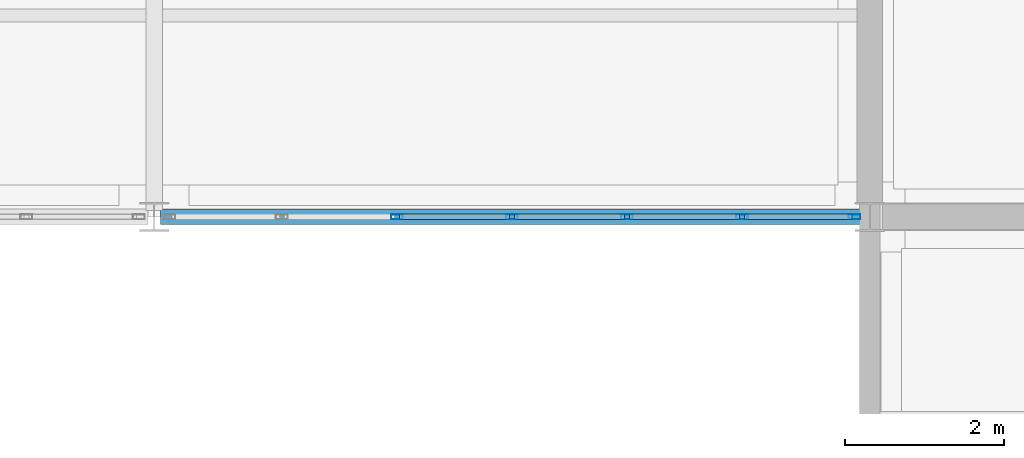
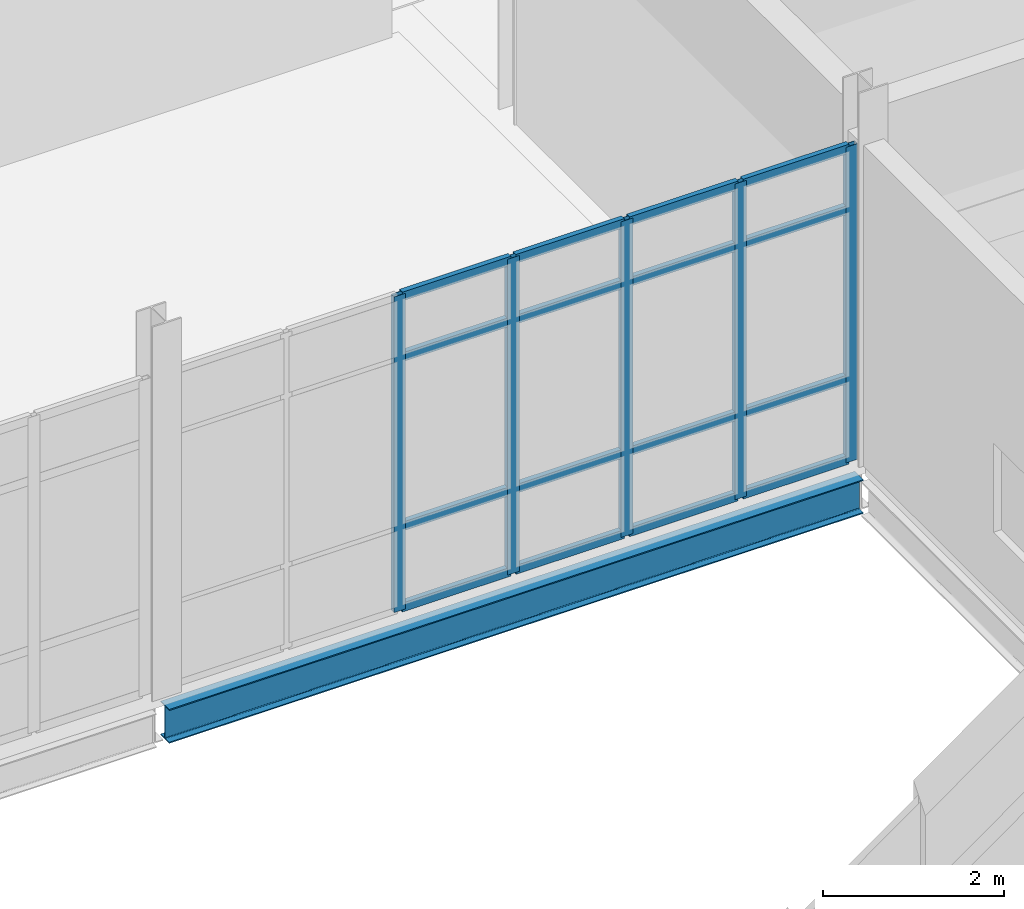
# One storey, part 38 of 161: 21 members, 1 beam, 1 element without a shape of its own.
"""IFC4 building model written with IfcOpenShell, lengths in metres."""

from ifc_helpers import new_model, si_unit, direction, frame, origin, origin_2d, place, context, subcontext, project, spatial, hollow_rectangle, i_section, extrude, material, material_profile, profile_set, type_object, element, aggregate, save


model = new_model("IFC4")

# Units and contexts
model_context = context("Model", 3, precision=1e-05, world=origin(), true_north=direction((0.0, 1.0)))
body_context = subcontext(model_context, "Body", "Model", "MODEL_VIEW")
ifc_project = project(units=[si_unit("LENGTHUNIT", "METRE"), si_unit("AREAUNIT", "SQUARE_METRE"), si_unit("VOLUMEUNIT", "CUBIC_METRE"), si_unit("PLANEANGLEUNIT", "RADIAN"), si_unit("MASSUNIT", "GRAM", prefix="KILO")], contexts=[model_context])

# Site, building, storey
site_placement = place(None, origin())
site = spatial("IfcSite", under=ifc_project, at=site_placement, CompositionType="ELEMENT")
building_placement = place(site_placement, origin())
building = spatial("IfcBuilding", under=site, at=building_placement, Name="Caisbarro Railhouse Central Library", CompositionType="ELEMENT")
storey_placement = place(building_placement, origin())
storey = spatial("IfcBuildingStorey", under=building, at=storey_placement, Name="L00", CompositionType="ELEMENT", Elevation=0.0)

# Beam
ifc_material_1 = material(Name="Steel ASTM A572 Grade 50", Category="steel")
ifc_material_profile_1 = material_profile(ifc_material_1, i_section(OverallWidth=0.18994140625, OverallDepth=0.45703125, WebThickness=0.009033203125, FlangeThickness=0.014404296875, FilletRadius=0.01806640625, at=origin_2d()), Name="W460X74.0")
ifc_profile_set_1 = profile_set([ifc_material_profile_1], Name="Steel ASTM A572 Grade 50")
beam_type = type_object("IfcBeamType", Name="BM-SP01", PredefinedType="SPANDREL", material=ifc_profile_set_1)
beam_placement = place(storey_placement, frame((45.080078125, 30.39990234375, -0.478515625), z_axis=(1.0, 0.0, 0.0), x_axis=(0.0, 1.0, 0.0)))
element("IfcBeam", 1, at=beam_placement, inside=storey, type_object=beam_type, Name="SP01 beam L00 #250", PredefinedType="SPANDREL", context=body_context, shape_type="SweptSolid", body=[
    extrude(i_section(OverallWidth=0.18994140625, OverallDepth=0.45703125, WebThickness=0.009033203125, FlangeThickness=0.014404296875, FilletRadius=0.01806640625, at=origin_2d()), origin(), (0.0, 0.0, 1.0), 8.83984375),
])

# Curtain wall, members
ifc_material_2 = material(Name="Anodised architectural aluminium", Category="aluminium")
curtain_wall_type = type_object("IfcCurtainWallType", Name="CW-CW02", PredefinedType="NOTDEFINED", material=ifc_material_2)
curtain_wall_placement = place(storey_placement, origin())
curtain_wall = element("IfcCurtainWall", 2, at=curtain_wall_placement, inside=storey, type_object=curtain_wall_type, Name="CW02 curtain wall L00 #27", PredefinedType="NOTDEFINED")
ifc_material_profile_2 = material_profile(ifc_material_2, hollow_rectangle(XDim=0.06494140625, YDim=0.14990234375, WallThickness=0.00390625, at=origin_2d()), Name="ALU-MUL-65X150")
ifc_profile_set_2 = profile_set([ifc_material_profile_2], Name="Anodised architectural aluminium")
member_type_1 = type_object("IfcMemberType", Name="CWM-M02", PredefinedType="MULLION", material=ifc_profile_set_2)
member_1_placement = place(storey_placement, frame((48.05322265625, 30.39990234375, 0.0), z_axis=(0.0, 0.0, 1.0), x_axis=(0.0, 1.0, 0.0)))
member_1 = element("IfcMember", 3, at=member_1_placement, type_object=member_type_1, Name="CW02 mullion 3", PredefinedType="MULLION", context=body_context, shape_type="SweptSolid", body=[
    extrude(hollow_rectangle(XDim=0.06494140625, YDim=0.14990234375, WallThickness=0.00390625, at=origin_2d()), origin(), (0.0, 0.0, 1.0), 4.25),
])
member_2_placement = place(storey_placement, frame((49.5, 30.39990234375, 0.0), z_axis=(0.0, 0.0, 1.0), x_axis=(0.0, 1.0, 0.0)))
member_2 = element("IfcMember", 4, at=member_2_placement, type_object=member_type_1, Name="CW02 mullion 4", PredefinedType="MULLION", context=body_context, shape_type="SweptSolid", body=[
    extrude(hollow_rectangle(XDim=0.06494140625, YDim=0.14990234375, WallThickness=0.00390625, at=origin_2d()), origin(), (0.0, 0.0, 1.0), 4.25),
])
member_3_placement = place(storey_placement, frame((50.94677734375, 30.39990234375, 0.0), z_axis=(0.0, 0.0, 1.0), x_axis=(0.0, 1.0, 0.0)))
member_3 = element("IfcMember", 5, at=member_3_placement, type_object=member_type_1, Name="CW02 mullion 5", PredefinedType="MULLION", context=body_context, shape_type="SweptSolid", body=[
    extrude(hollow_rectangle(XDim=0.06494140625, YDim=0.14990234375, WallThickness=0.00390625, at=origin_2d()), origin(), (0.0, 0.0, 1.0), 4.25),
])
member_4_placement = place(storey_placement, frame((52.393310546875, 30.39990234375, 0.0), z_axis=(0.0, 0.0, 1.0), x_axis=(0.0, 1.0, 0.0)))
member_4 = element("IfcMember", 6, at=member_4_placement, type_object=member_type_1, Name="CW02 mullion 6", PredefinedType="MULLION", context=body_context, shape_type="SweptSolid", body=[
    extrude(hollow_rectangle(XDim=0.06494140625, YDim=0.14990234375, WallThickness=0.00390625, at=origin_2d()), origin(), (0.0, 0.0, 1.0), 4.25),
])
member_5_placement = place(storey_placement, frame((53.8076171875, 30.39990234375, 0.0), z_axis=(0.0, 0.0, 1.0), x_axis=(0.0, 1.0, 0.0)))
member_5 = element("IfcMember", 7, at=member_5_placement, type_object=member_type_1, Name="CW02 mullion 7", PredefinedType="MULLION", context=body_context, shape_type="SweptSolid", body=[
    extrude(hollow_rectangle(XDim=0.06494140625, YDim=0.14990234375, WallThickness=0.00390625, at=origin_2d()), origin(), (0.0, 0.0, 1.0), 4.25),
])
ifc_material_profile_3 = material_profile(ifc_material_2, hollow_rectangle(XDim=0.06494140625, YDim=0.1201171875, WallThickness=0.00341796875, at=origin_2d()), Name="ALU-TRN-65X120")
ifc_profile_set_3 = profile_set([ifc_material_profile_3], Name="Anodised architectural aluminium")
member_type_2 = type_object("IfcMemberType", Name="CWT-T02", PredefinedType="USERDEFINED", material=ifc_profile_set_3)
member_6_placement = place(storey_placement, frame((48.0859375, 30.39990234375, 0.032470703125), z_axis=(1.0, 0.0, 0.0), x_axis=(0.0, 1.0, 0.0)))
member_6 = element("IfcMember", 8, at=member_6_placement, type_object=member_type_2, Name="CW02 transom 3.1", ObjectType="TRANSOM", PredefinedType="USERDEFINED", context=body_context, shape_type="SweptSolid", body=[
    extrude(hollow_rectangle(XDim=0.06494140625, YDim=0.1201171875, WallThickness=0.00341796875, at=origin_2d()), origin(), (0.0, 0.0, 1.0), 1.381591796875),
])
member_7_placement = place(storey_placement, frame((48.0859375, 30.39990234375, 1.1201171875), z_axis=(1.0, 0.0, 0.0), x_axis=(0.0, 1.0, 0.0)))
member_7 = element("IfcMember", 9, at=member_7_placement, type_object=member_type_2, Name="CW02 transom 3.2", ObjectType="TRANSOM", PredefinedType="USERDEFINED", context=body_context, shape_type="SweptSolid", body=[
    extrude(hollow_rectangle(XDim=0.06494140625, YDim=0.1201171875, WallThickness=0.00341796875, at=origin_2d()), origin(), (0.0, 0.0, 1.0), 1.381591796875),
])
member_8_placement = place(storey_placement, frame((48.0859375, 30.39990234375, 3.39990234375), z_axis=(1.0, 0.0, 0.0), x_axis=(0.0, 1.0, 0.0)))
member_8 = element("IfcMember", 10, at=member_8_placement, type_object=member_type_2, Name="CW02 transom 3.3", ObjectType="TRANSOM", PredefinedType="USERDEFINED", context=body_context, shape_type="SweptSolid", body=[
    extrude(hollow_rectangle(XDim=0.06494140625, YDim=0.1201171875, WallThickness=0.00341796875, at=origin_2d()), origin(), (0.0, 0.0, 1.0), 1.381591796875),
])
member_9_placement = place(storey_placement, frame((48.0859375, 30.39990234375, 4.217529296875), z_axis=(1.0, 0.0, 0.0), x_axis=(0.0, 1.0, 0.0)))
member_9 = element("IfcMember", 11, at=member_9_placement, type_object=member_type_2, Name="CW02 transom 3.4", ObjectType="TRANSOM", PredefinedType="USERDEFINED", context=body_context, shape_type="SweptSolid", body=[
    extrude(hollow_rectangle(XDim=0.06494140625, YDim=0.1201171875, WallThickness=0.00341796875, at=origin_2d()), origin(), (0.0, 0.0, 1.0), 1.381591796875),
])
member_10_placement = place(storey_placement, frame((49.532470703125, 30.39990234375, 0.032470703125), z_axis=(1.0, 0.0, 0.0), x_axis=(0.0, 1.0, 0.0)))
member_10 = element("IfcMember", 12, at=member_10_placement, type_object=member_type_2, Name="CW02 transom 4.1", ObjectType="TRANSOM", PredefinedType="USERDEFINED", context=body_context, shape_type="SweptSolid", body=[
    extrude(hollow_rectangle(XDim=0.06494140625, YDim=0.1201171875, WallThickness=0.00341796875, at=origin_2d()), origin(), (0.0, 0.0, 1.0), 1.381591796875),
])
member_11_placement = place(storey_placement, frame((49.532470703125, 30.39990234375, 1.1201171875), z_axis=(1.0, 0.0, 0.0), x_axis=(0.0, 1.0, 0.0)))
member_11 = element("IfcMember", 13, at=member_11_placement, type_object=member_type_2, Name="CW02 transom 4.2", ObjectType="TRANSOM", PredefinedType="USERDEFINED", context=body_context, shape_type="SweptSolid", body=[
    extrude(hollow_rectangle(XDim=0.06494140625, YDim=0.1201171875, WallThickness=0.00341796875, at=origin_2d()), origin(), (0.0, 0.0, 1.0), 1.381591796875),
])
member_12_placement = place(storey_placement, frame((49.532470703125, 30.39990234375, 3.39990234375), z_axis=(1.0, 0.0, 0.0), x_axis=(0.0, 1.0, 0.0)))
member_12 = element("IfcMember", 14, at=member_12_placement, type_object=member_type_2, Name="CW02 transom 4.3", ObjectType="TRANSOM", PredefinedType="USERDEFINED", context=body_context, shape_type="SweptSolid", body=[
    extrude(hollow_rectangle(XDim=0.06494140625, YDim=0.1201171875, WallThickness=0.00341796875, at=origin_2d()), origin(), (0.0, 0.0, 1.0), 1.381591796875),
])
member_13_placement = place(storey_placement, frame((49.532470703125, 30.39990234375, 4.217529296875), z_axis=(1.0, 0.0, 0.0), x_axis=(0.0, 1.0, 0.0)))
member_13 = element("IfcMember", 15, at=member_13_placement, type_object=member_type_2, Name="CW02 transom 4.4", ObjectType="TRANSOM", PredefinedType="USERDEFINED", context=body_context, shape_type="SweptSolid", body=[
    extrude(hollow_rectangle(XDim=0.06494140625, YDim=0.1201171875, WallThickness=0.00341796875, at=origin_2d()), origin(), (0.0, 0.0, 1.0), 1.381591796875),
])
member_14_placement = place(storey_placement, frame((50.979248046875, 30.39990234375, 0.032470703125), z_axis=(1.0, 0.0, 0.0), x_axis=(0.0, 1.0, 0.0)))
member_14 = element("IfcMember", 16, at=member_14_placement, type_object=member_type_2, Name="CW02 transom 5.1", ObjectType="TRANSOM", PredefinedType="USERDEFINED", context=body_context, shape_type="SweptSolid", body=[
    extrude(hollow_rectangle(XDim=0.06494140625, YDim=0.1201171875, WallThickness=0.00341796875, at=origin_2d()), origin(), (0.0, 0.0, 1.0), 1.381591796875),
])
member_15_placement = place(storey_placement, frame((50.979248046875, 30.39990234375, 1.1201171875), z_axis=(1.0, 0.0, 0.0), x_axis=(0.0, 1.0, 0.0)))
member_15 = element("IfcMember", 17, at=member_15_placement, type_object=member_type_2, Name="CW02 transom 5.2", ObjectType="TRANSOM", PredefinedType="USERDEFINED", context=body_context, shape_type="SweptSolid", body=[
    extrude(hollow_rectangle(XDim=0.06494140625, YDim=0.1201171875, WallThickness=0.00341796875, at=origin_2d()), origin(), (0.0, 0.0, 1.0), 1.381591796875),
])
member_16_placement = place(storey_placement, frame((50.979248046875, 30.39990234375, 3.39990234375), z_axis=(1.0, 0.0, 0.0), x_axis=(0.0, 1.0, 0.0)))
member_16 = element("IfcMember", 18, at=member_16_placement, type_object=member_type_2, Name="CW02 transom 5.3", ObjectType="TRANSOM", PredefinedType="USERDEFINED", context=body_context, shape_type="SweptSolid", body=[
    extrude(hollow_rectangle(XDim=0.06494140625, YDim=0.1201171875, WallThickness=0.00341796875, at=origin_2d()), origin(), (0.0, 0.0, 1.0), 1.381591796875),
])
member_17_placement = place(storey_placement, frame((50.979248046875, 30.39990234375, 4.217529296875), z_axis=(1.0, 0.0, 0.0), x_axis=(0.0, 1.0, 0.0)))
member_17 = element("IfcMember", 19, at=member_17_placement, type_object=member_type_2, Name="CW02 transom 5.4", ObjectType="TRANSOM", PredefinedType="USERDEFINED", context=body_context, shape_type="SweptSolid", body=[
    extrude(hollow_rectangle(XDim=0.06494140625, YDim=0.1201171875, WallThickness=0.00341796875, at=origin_2d()), origin(), (0.0, 0.0, 1.0), 1.381591796875),
])
member_18_placement = place(storey_placement, frame((52.42578125, 30.39990234375, 0.032470703125), z_axis=(1.0, 0.0, 0.0), x_axis=(0.0, 1.0, 0.0)))
member_18 = element("IfcMember", 20, at=member_18_placement, type_object=member_type_2, Name="CW02 transom 6.1", ObjectType="TRANSOM", PredefinedType="USERDEFINED", context=body_context, shape_type="SweptSolid", body=[
    extrude(hollow_rectangle(XDim=0.06494140625, YDim=0.1201171875, WallThickness=0.00341796875, at=origin_2d()), origin(), (0.0, 0.0, 1.0), 1.34912109375),
])
member_19_placement = place(storey_placement, frame((52.42578125, 30.39990234375, 1.1201171875), z_axis=(1.0, 0.0, 0.0), x_axis=(0.0, 1.0, 0.0)))
member_19 = element("IfcMember", 21, at=member_19_placement, type_object=member_type_2, Name="CW02 transom 6.2", ObjectType="TRANSOM", PredefinedType="USERDEFINED", context=body_context, shape_type="SweptSolid", body=[
    extrude(hollow_rectangle(XDim=0.06494140625, YDim=0.1201171875, WallThickness=0.00341796875, at=origin_2d()), origin(), (0.0, 0.0, 1.0), 1.34912109375),
])
member_20_placement = place(storey_placement, frame((52.42578125, 30.39990234375, 3.39990234375), z_axis=(1.0, 0.0, 0.0), x_axis=(0.0, 1.0, 0.0)))
member_20 = element("IfcMember", 22, at=member_20_placement, type_object=member_type_2, Name="CW02 transom 6.3", ObjectType="TRANSOM", PredefinedType="USERDEFINED", context=body_context, shape_type="SweptSolid", body=[
    extrude(hollow_rectangle(XDim=0.06494140625, YDim=0.1201171875, WallThickness=0.00341796875, at=origin_2d()), origin(), (0.0, 0.0, 1.0), 1.34912109375),
])
member_21_placement = place(storey_placement, frame((52.42578125, 30.39990234375, 4.217529296875), z_axis=(1.0, 0.0, 0.0), x_axis=(0.0, 1.0, 0.0)))
member_21 = element("IfcMember", 23, at=member_21_placement, type_object=member_type_2, Name="CW02 transom 6.4", ObjectType="TRANSOM", PredefinedType="USERDEFINED", context=body_context, shape_type="SweptSolid", body=[
    extrude(hollow_rectangle(XDim=0.06494140625, YDim=0.1201171875, WallThickness=0.00341796875, at=origin_2d()), origin(), (0.0, 0.0, 1.0), 1.34912109375),
])
aggregate(curtain_wall, [member_1, member_2, member_3, member_4, member_5, member_6, member_7, member_8, member_9, member_10, member_11, member_12, member_13, member_14, member_15, member_16, member_17, member_18, member_19, member_20, member_21])

save(model, "model.ifc")
